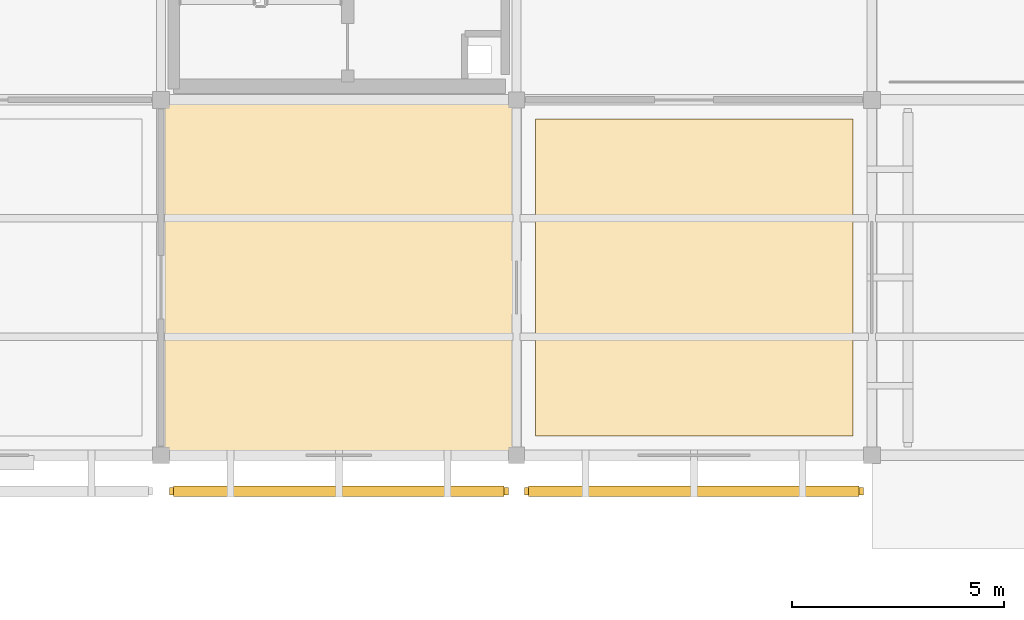
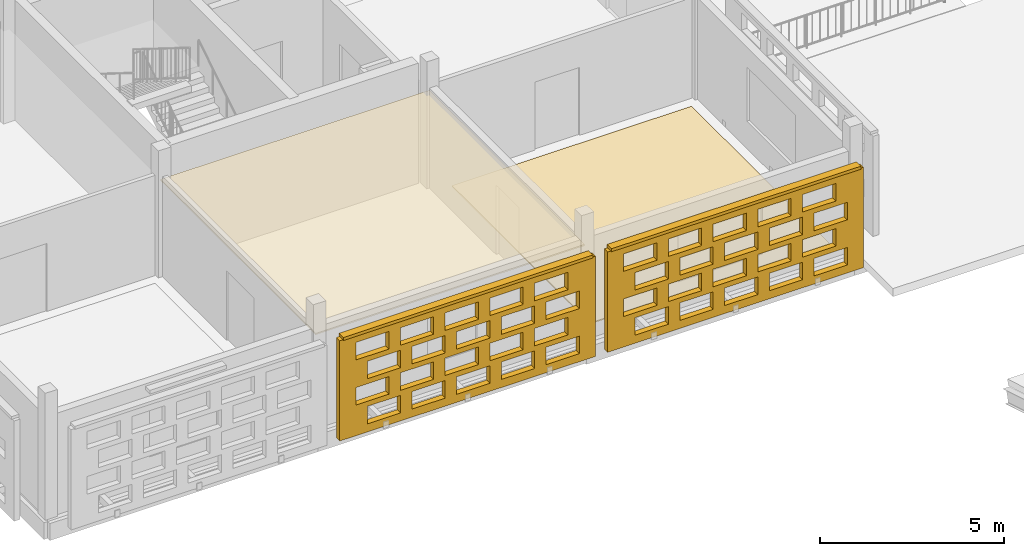
# One storey, part 23 of 31: 4 coverings, 2 shading devices, 40 openings.
"""IFC4 building model written with IfcOpenShell, lengths in metres."""

from ifc_helpers import new_model, si_unit, direction, frame, frame_2d, origin, origin_2d, place, context, subcontext, project, spatial, rectangle, extrude, material, layer, layer_set, type_object, element, save


model = new_model("IFC4")

# Units and contexts
model_context = context("Model", 3, precision=1e-05, world=origin(), true_north=direction((0.0, 1.0)))
body_context = subcontext(model_context, "Body", "Model", "MODEL_VIEW")
ifc_project = project(units=[si_unit("LENGTHUNIT", "METRE"), si_unit("AREAUNIT", "SQUARE_METRE"), si_unit("VOLUMEUNIT", "CUBIC_METRE"), si_unit("PLANEANGLEUNIT", "RADIAN"), si_unit("MASSUNIT", "GRAM", prefix="KILO")], contexts=[model_context])

# Site, building, storey
site_placement = place(None, origin())
site = spatial("IfcSite", under=ifc_project, at=site_placement, CompositionType="ELEMENT")
building_placement = place(site_placement, origin())
building = spatial("IfcBuilding", under=site, at=building_placement, Name="Varnapada Polytechnic", CompositionType="ELEMENT")
storey_placement = place(building_placement, frame((0.0, 0.0, 22.199951171875)))
storey = spatial("IfcBuildingStorey", under=building, at=storey_placement, Name="L05", CompositionType="ELEMENT", Elevation=22.199951171875)

# Coverings
ifc_material_1 = material(Name="Acoustic Rubber Seminar Flooring")
ifc_layer_1 = layer(ifc_material_1, 0.0400390625)
ifc_layer_set_1 = layer_set([ifc_layer_1], Name="Acoustic Rubber Seminar Flooring")
covering_type_1 = type_object("IfcCoveringType", Name="Floor Finish FLR-06", PredefinedType="FLOORING", material=ifc_layer_set_1)
covering_1_placement = place(storey_placement, frame((21.0, 54.60009765625, 0.0), z_axis=(0.0, 0.0, 1.0), x_axis=(1.0, 0.0, 0.0)))
element("IfcCovering", 1, at=covering_1_placement, inside=storey, type_object=covering_type_1, Name="L05 floor finish panel (3,7)", PredefinedType="FLOORING", context=body_context, shape_type="SweptSolid", body=[
    extrude(rectangle(XDim=7.5, YDim=7.5, at=origin_2d()), origin(), (0.0, 0.0, 1.0), 0.0400390625),
])
ifc_material_2 = material(Name="Micro-Perforated Gypsum Acoustic Ceiling")
ifc_layer_2 = layer(ifc_material_2, 0.044921875)
ifc_layer_set_2 = layer_set([ifc_layer_2], Name="Micro-Perforated Gypsum Acoustic Ceiling")
covering_type_2 = type_object("IfcCoveringType", Name="Suspended Ceiling CLG-04", PredefinedType="CEILING", material=ifc_layer_set_2)
covering_2_placement = place(storey_placement, frame((12.60009765625, 54.60009765625, 3.027587890625), z_axis=(0.0, 0.0, 1.0), x_axis=(1.0, 0.0, 0.0)))
element("IfcCovering", 2, at=covering_2_placement, inside=storey, type_object=covering_type_2, Name="L05 suspended acoustic ceiling (2,7)", PredefinedType="CEILING", context=body_context, shape_type="SweptSolid", body=[
    extrude(rectangle(XDim=8.419921875, YDim=8.419921875, at=origin_2d()), origin(), (0.0, 0.0, 1.0), 0.044921875),
])

# Covering, openings
ifc_material_3 = material(Name="Earth-toned architectural terracotta screen block", Category="masonry")
ifc_layer_3 = layer(ifc_material_3, 0.1201171875)
ifc_layer_set_3 = layer_set([ifc_layer_3], Name="Earth-toned architectural terracotta screen block")
covering_type_3 = type_object("IfcCoveringType", Name="Terracotta Screen Cladding CLD-01", PredefinedType="CLADDING", material=ifc_layer_set_3)
covering_3_placement = place(storey_placement, frame((16.610107421875, 49.550048828125, 0.0), z_axis=(0.0, 0.0, 1.0), x_axis=(-1.0, 0.0, 0.0)))
covering_3 = element("IfcCovering", 3, at=covering_3_placement, inside=storey, type_object=covering_type_3, Name="L05 perforated terracotta block screen (12)", PredefinedType="CLADDING", context=body_context, shape_type="SweptSolid", body=[
    extrude(rectangle(XDim=8.010009765625, YDim=0.179931640625, at=frame_2d((4.0048828125, 0.0))), origin(), (0.0, 0.0, 1.0), 3.320068359375),
])
opening_1_placement = place(covering_3_placement, frame((0.5048828125, 0.0, 0.265625)))
element("IfcOpeningElement", 4, at=opening_1_placement, cuts=covering_3, Name="Screen perforation TBS-L05-011.1", PredefinedType="OPENING", context=body_context, shape_type="SweptSolid", body=[
    extrude(rectangle(XDim=1.0400390625, YDim=0.5810546875, at=frame_2d((0.52001953125, 0.29052734375))), frame((0.0, 0.099853515625, 0.0), z_axis=(0.0, -1.0, 0.0), x_axis=(1.0, 0.0, 0.0)), (0.0, 0.0, 1.0), 0.199951171875),
])
opening_2_placement = place(covering_3_placement, frame((1.905029296875, 0.0, 0.265625)))
element("IfcOpeningElement", 5, at=opening_2_placement, cuts=covering_3, Name="Screen perforation TBS-L05-011.2", PredefinedType="OPENING", context=body_context, shape_type="SweptSolid", body=[
    extrude(rectangle(XDim=1.0400390625, YDim=0.5810546875, at=frame_2d((0.52001953125, 0.29052734375))), frame((0.0, 0.099853515625, 0.0), z_axis=(0.0, -1.0, 0.0), x_axis=(1.0, 0.0, 0.0)), (0.0, 0.0, 1.0), 0.199951171875),
])
opening_3_placement = place(covering_3_placement, frame((3.304931640625, 0.0, 0.265625)))
element("IfcOpeningElement", 6, at=opening_3_placement, cuts=covering_3, Name="Screen perforation TBS-L05-011.3", PredefinedType="OPENING", context=body_context, shape_type="SweptSolid", body=[
    extrude(rectangle(XDim=1.0400390625, YDim=0.5810546875, at=frame_2d((0.52001953125, 0.29052734375))), frame((0.0, 0.099853515625, 0.0), z_axis=(0.0, -1.0, 0.0), x_axis=(1.0, 0.0, 0.0)), (0.0, 0.0, 1.0), 0.199951171875),
])
opening_4_placement = place(covering_3_placement, frame((4.705078125, 0.0, 0.265625)))
element("IfcOpeningElement", 7, at=opening_4_placement, cuts=covering_3, Name="Screen perforation TBS-L05-011.4", PredefinedType="OPENING", context=body_context, shape_type="SweptSolid", body=[
    extrude(rectangle(XDim=1.0400390625, YDim=0.5810546875, at=frame_2d((0.52001953125, 0.29052734375))), frame((0.0, 0.099853515625, 0.0), z_axis=(0.0, -1.0, 0.0), x_axis=(1.0, 0.0, 0.0)), (0.0, 0.0, 1.0), 0.199951171875),
])
opening_5_placement = place(covering_3_placement, frame((6.10498046875, 0.0, 0.265625)))
element("IfcOpeningElement", 8, at=opening_5_placement, cuts=covering_3, Name="Screen perforation TBS-L05-011.5", PredefinedType="OPENING", context=body_context, shape_type="SweptSolid", body=[
    extrude(rectangle(XDim=1.0400390625, YDim=0.5810546875, at=frame_2d((0.52001953125, 0.29052734375))), frame((0.0, 0.099853515625, 0.0), z_axis=(0.0, -1.0, 0.0), x_axis=(1.0, 0.0, 0.0)), (0.0, 0.0, 1.0), 0.199951171875),
])
opening_6_placement = place(covering_3_placement, frame((0.864990234375, 0.0, 1.0126953125)))
element("IfcOpeningElement", 9, at=opening_6_placement, cuts=covering_3, Name="Screen perforation TBS-L05-011.6", PredefinedType="OPENING", context=body_context, shape_type="SweptSolid", body=[
    extrude(rectangle(XDim=1.0400390625, YDim=0.5810546875, at=frame_2d((0.52001953125, 0.29052734375))), frame((0.0, 0.099853515625, 0.0), z_axis=(0.0, -1.0, 0.0), x_axis=(1.0, 0.0, 0.0)), (0.0, 0.0, 1.0), 0.199951171875),
])
opening_7_placement = place(covering_3_placement, frame((2.264892578125, 0.0, 1.0126953125)))
element("IfcOpeningElement", 10, at=opening_7_placement, cuts=covering_3, Name="Screen perforation TBS-L05-011.7", PredefinedType="OPENING", context=body_context, shape_type="SweptSolid", body=[
    extrude(rectangle(XDim=1.0400390625, YDim=0.5810546875, at=frame_2d((0.52001953125, 0.29052734375))), frame((0.0, 0.099853515625, 0.0), z_axis=(0.0, -1.0, 0.0), x_axis=(1.0, 0.0, 0.0)), (0.0, 0.0, 1.0), 0.199951171875),
])
opening_8_placement = place(covering_3_placement, frame((3.6650390625, 0.0, 1.0126953125)))
element("IfcOpeningElement", 11, at=opening_8_placement, cuts=covering_3, Name="Screen perforation TBS-L05-011.8", PredefinedType="OPENING", context=body_context, shape_type="SweptSolid", body=[
    extrude(rectangle(XDim=1.0400390625, YDim=0.5810546875, at=frame_2d((0.52001953125, 0.29052734375))), frame((0.0, 0.099853515625, 0.0), z_axis=(0.0, -1.0, 0.0), x_axis=(1.0, 0.0, 0.0)), (0.0, 0.0, 1.0), 0.199951171875),
])
opening_9_placement = place(covering_3_placement, frame((5.06494140625, 0.0, 1.0126953125)))
element("IfcOpeningElement", 12, at=opening_9_placement, cuts=covering_3, Name="Screen perforation TBS-L05-011.9", PredefinedType="OPENING", context=body_context, shape_type="SweptSolid", body=[
    extrude(rectangle(XDim=1.0400390625, YDim=0.5810546875, at=frame_2d((0.52001953125, 0.29052734375))), frame((0.0, 0.099853515625, 0.0), z_axis=(0.0, -1.0, 0.0), x_axis=(1.0, 0.0, 0.0)), (0.0, 0.0, 1.0), 0.199951171875),
])
opening_10_placement = place(covering_3_placement, frame((6.465087890625, 0.0, 1.0126953125)))
element("IfcOpeningElement", 13, at=opening_10_placement, cuts=covering_3, Name="Screen perforation TBS-L05-011.10", PredefinedType="OPENING", context=body_context, shape_type="SweptSolid", body=[
    extrude(rectangle(XDim=1.0400390625, YDim=0.5810546875, at=frame_2d((0.52001953125, 0.29052734375))), frame((0.0, 0.099853515625, 0.0), z_axis=(0.0, -1.0, 0.0), x_axis=(1.0, 0.0, 0.0)), (0.0, 0.0, 1.0), 0.199951171875),
])
opening_11_placement = place(covering_3_placement, frame((0.5048828125, 0.0, 1.759521484375)))
element("IfcOpeningElement", 14, at=opening_11_placement, cuts=covering_3, Name="Screen perforation TBS-L05-011.11", PredefinedType="OPENING", context=body_context, shape_type="SweptSolid", body=[
    extrude(rectangle(XDim=1.0400390625, YDim=0.5810546875, at=frame_2d((0.52001953125, 0.29052734375))), frame((0.0, 0.099853515625, 0.0), z_axis=(0.0, -1.0, 0.0), x_axis=(1.0, 0.0, 0.0)), (0.0, 0.0, 1.0), 0.199951171875),
])
opening_12_placement = place(covering_3_placement, frame((1.905029296875, 0.0, 1.759521484375)))
element("IfcOpeningElement", 15, at=opening_12_placement, cuts=covering_3, Name="Screen perforation TBS-L05-011.12", PredefinedType="OPENING", context=body_context, shape_type="SweptSolid", body=[
    extrude(rectangle(XDim=1.0400390625, YDim=0.5810546875, at=frame_2d((0.52001953125, 0.29052734375))), frame((0.0, 0.099853515625, 0.0), z_axis=(0.0, -1.0, 0.0), x_axis=(1.0, 0.0, 0.0)), (0.0, 0.0, 1.0), 0.199951171875),
])
opening_13_placement = place(covering_3_placement, frame((3.304931640625, 0.0, 1.759521484375)))
element("IfcOpeningElement", 16, at=opening_13_placement, cuts=covering_3, Name="Screen perforation TBS-L05-011.13", PredefinedType="OPENING", context=body_context, shape_type="SweptSolid", body=[
    extrude(rectangle(XDim=1.0400390625, YDim=0.5810546875, at=frame_2d((0.52001953125, 0.29052734375))), frame((0.0, 0.099853515625, 0.0), z_axis=(0.0, -1.0, 0.0), x_axis=(1.0, 0.0, 0.0)), (0.0, 0.0, 1.0), 0.199951171875),
])
opening_14_placement = place(covering_3_placement, frame((4.705078125, 0.0, 1.759521484375)))
element("IfcOpeningElement", 17, at=opening_14_placement, cuts=covering_3, Name="Screen perforation TBS-L05-011.14", PredefinedType="OPENING", context=body_context, shape_type="SweptSolid", body=[
    extrude(rectangle(XDim=1.0400390625, YDim=0.5810546875, at=frame_2d((0.52001953125, 0.29052734375))), frame((0.0, 0.099853515625, 0.0), z_axis=(0.0, -1.0, 0.0), x_axis=(1.0, 0.0, 0.0)), (0.0, 0.0, 1.0), 0.199951171875),
])
opening_15_placement = place(covering_3_placement, frame((6.10498046875, 0.0, 1.759521484375)))
element("IfcOpeningElement", 18, at=opening_15_placement, cuts=covering_3, Name="Screen perforation TBS-L05-011.15", PredefinedType="OPENING", context=body_context, shape_type="SweptSolid", body=[
    extrude(rectangle(XDim=1.0400390625, YDim=0.5810546875, at=frame_2d((0.52001953125, 0.29052734375))), frame((0.0, 0.099853515625, 0.0), z_axis=(0.0, -1.0, 0.0), x_axis=(1.0, 0.0, 0.0)), (0.0, 0.0, 1.0), 0.199951171875),
])
opening_16_placement = place(covering_3_placement, frame((0.864990234375, 0.0, 2.506591796875)))
element("IfcOpeningElement", 19, at=opening_16_placement, cuts=covering_3, Name="Screen perforation TBS-L05-011.16", PredefinedType="OPENING", context=body_context, shape_type="SweptSolid", body=[
    extrude(rectangle(XDim=1.0400390625, YDim=0.5810546875, at=frame_2d((0.52001953125, 0.29052734375))), frame((0.0, 0.099853515625, 0.0), z_axis=(0.0, -1.0, 0.0), x_axis=(1.0, 0.0, 0.0)), (0.0, 0.0, 1.0), 0.199951171875),
])
opening_17_placement = place(covering_3_placement, frame((2.264892578125, 0.0, 2.506591796875)))
element("IfcOpeningElement", 20, at=opening_17_placement, cuts=covering_3, Name="Screen perforation TBS-L05-011.17", PredefinedType="OPENING", context=body_context, shape_type="SweptSolid", body=[
    extrude(rectangle(XDim=1.0400390625, YDim=0.5810546875, at=frame_2d((0.52001953125, 0.29052734375))), frame((0.0, 0.099853515625, 0.0), z_axis=(0.0, -1.0, 0.0), x_axis=(1.0, 0.0, 0.0)), (0.0, 0.0, 1.0), 0.199951171875),
])
opening_18_placement = place(covering_3_placement, frame((3.6650390625, 0.0, 2.506591796875)))
element("IfcOpeningElement", 21, at=opening_18_placement, cuts=covering_3, Name="Screen perforation TBS-L05-011.18", PredefinedType="OPENING", context=body_context, shape_type="SweptSolid", body=[
    extrude(rectangle(XDim=1.0400390625, YDim=0.5810546875, at=frame_2d((0.52001953125, 0.29052734375))), frame((0.0, 0.099853515625, 0.0), z_axis=(0.0, -1.0, 0.0), x_axis=(1.0, 0.0, 0.0)), (0.0, 0.0, 1.0), 0.199951171875),
])
opening_19_placement = place(covering_3_placement, frame((5.06494140625, 0.0, 2.506591796875)))
element("IfcOpeningElement", 22, at=opening_19_placement, cuts=covering_3, Name="Screen perforation TBS-L05-011.19", PredefinedType="OPENING", context=body_context, shape_type="SweptSolid", body=[
    extrude(rectangle(XDim=1.0400390625, YDim=0.5810546875, at=frame_2d((0.52001953125, 0.29052734375))), frame((0.0, 0.099853515625, 0.0), z_axis=(0.0, -1.0, 0.0), x_axis=(1.0, 0.0, 0.0)), (0.0, 0.0, 1.0), 0.199951171875),
])
opening_20_placement = place(covering_3_placement, frame((6.465087890625, 0.0, 2.506591796875)))
element("IfcOpeningElement", 23, at=opening_20_placement, cuts=covering_3, Name="Screen perforation TBS-L05-011.20", PredefinedType="OPENING", context=body_context, shape_type="SweptSolid", body=[
    extrude(rectangle(XDim=1.0400390625, YDim=0.5810546875, at=frame_2d((0.52001953125, 0.29052734375))), frame((0.0, 0.099853515625, 0.0), z_axis=(0.0, -1.0, 0.0), x_axis=(1.0, 0.0, 0.0)), (0.0, 0.0, 1.0), 0.199951171875),
])

covering_4_placement = place(storey_placement, frame((25.0, 49.550048828125, 0.0), z_axis=(0.0, 0.0, 1.0), x_axis=(-1.0, 0.0, 0.0)))
covering_4 = element("IfcCovering", 24, at=covering_4_placement, inside=storey, type_object=covering_type_3, Name="L05 perforated terracotta block screen (14)", PredefinedType="CLADDING", context=body_context, shape_type="SweptSolid", body=[
    extrude(rectangle(XDim=8.010009765625, YDim=0.179931640625, at=frame_2d((4.0048828125, 0.0))), origin(), (0.0, 0.0, 1.0), 3.320068359375),
])
opening_21_placement = place(covering_4_placement, frame((0.5048828125, 0.0, 0.265625)))
element("IfcOpeningElement", 25, at=opening_21_placement, cuts=covering_4, Name="Screen perforation TBS-L05-013.1", PredefinedType="OPENING", context=body_context, shape_type="SweptSolid", body=[
    extrude(rectangle(XDim=1.0400390625, YDim=0.5810546875, at=frame_2d((0.52001953125, 0.29052734375))), frame((0.0, 0.099853515625, 0.0), z_axis=(0.0, -1.0, 0.0), x_axis=(1.0, 0.0, 0.0)), (0.0, 0.0, 1.0), 0.199951171875),
])
opening_22_placement = place(covering_4_placement, frame((1.905029296875, 0.0, 0.265625)))
element("IfcOpeningElement", 26, at=opening_22_placement, cuts=covering_4, Name="Screen perforation TBS-L05-013.2", PredefinedType="OPENING", context=body_context, shape_type="SweptSolid", body=[
    extrude(rectangle(XDim=1.0400390625, YDim=0.5810546875, at=frame_2d((0.52001953125, 0.29052734375))), frame((0.0, 0.099853515625, 0.0), z_axis=(0.0, -1.0, 0.0), x_axis=(1.0, 0.0, 0.0)), (0.0, 0.0, 1.0), 0.199951171875),
])
opening_23_placement = place(covering_4_placement, frame((3.304931640625, 0.0, 0.265625)))
element("IfcOpeningElement", 27, at=opening_23_placement, cuts=covering_4, Name="Screen perforation TBS-L05-013.3", PredefinedType="OPENING", context=body_context, shape_type="SweptSolid", body=[
    extrude(rectangle(XDim=1.0400390625, YDim=0.5810546875, at=frame_2d((0.52001953125, 0.29052734375))), frame((0.0, 0.099853515625, 0.0), z_axis=(0.0, -1.0, 0.0), x_axis=(1.0, 0.0, 0.0)), (0.0, 0.0, 1.0), 0.199951171875),
])
opening_24_placement = place(covering_4_placement, frame((4.705078125, 0.0, 0.265625)))
element("IfcOpeningElement", 28, at=opening_24_placement, cuts=covering_4, Name="Screen perforation TBS-L05-013.4", PredefinedType="OPENING", context=body_context, shape_type="SweptSolid", body=[
    extrude(rectangle(XDim=1.0400390625, YDim=0.5810546875, at=frame_2d((0.52001953125, 0.29052734375))), frame((0.0, 0.099853515625, 0.0), z_axis=(0.0, -1.0, 0.0), x_axis=(1.0, 0.0, 0.0)), (0.0, 0.0, 1.0), 0.199951171875),
])
opening_25_placement = place(covering_4_placement, frame((6.10498046875, 0.0, 0.265625)))
element("IfcOpeningElement", 29, at=opening_25_placement, cuts=covering_4, Name="Screen perforation TBS-L05-013.5", PredefinedType="OPENING", context=body_context, shape_type="SweptSolid", body=[
    extrude(rectangle(XDim=1.0400390625, YDim=0.5810546875, at=frame_2d((0.52001953125, 0.29052734375))), frame((0.0, 0.099853515625, 0.0), z_axis=(0.0, -1.0, 0.0), x_axis=(1.0, 0.0, 0.0)), (0.0, 0.0, 1.0), 0.199951171875),
])
opening_26_placement = place(covering_4_placement, frame((0.864990234375, 0.0, 1.0126953125)))
element("IfcOpeningElement", 30, at=opening_26_placement, cuts=covering_4, Name="Screen perforation TBS-L05-013.6", PredefinedType="OPENING", context=body_context, shape_type="SweptSolid", body=[
    extrude(rectangle(XDim=1.0400390625, YDim=0.5810546875, at=frame_2d((0.52001953125, 0.29052734375))), frame((0.0, 0.099853515625, 0.0), z_axis=(0.0, -1.0, 0.0), x_axis=(1.0, 0.0, 0.0)), (0.0, 0.0, 1.0), 0.199951171875),
])
opening_27_placement = place(covering_4_placement, frame((2.264892578125, 0.0, 1.0126953125)))
element("IfcOpeningElement", 31, at=opening_27_placement, cuts=covering_4, Name="Screen perforation TBS-L05-013.7", PredefinedType="OPENING", context=body_context, shape_type="SweptSolid", body=[
    extrude(rectangle(XDim=1.0400390625, YDim=0.5810546875, at=frame_2d((0.52001953125, 0.29052734375))), frame((0.0, 0.099853515625, 0.0), z_axis=(0.0, -1.0, 0.0), x_axis=(1.0, 0.0, 0.0)), (0.0, 0.0, 1.0), 0.199951171875),
])
opening_28_placement = place(covering_4_placement, frame((3.6650390625, 0.0, 1.0126953125)))
element("IfcOpeningElement", 32, at=opening_28_placement, cuts=covering_4, Name="Screen perforation TBS-L05-013.8", PredefinedType="OPENING", context=body_context, shape_type="SweptSolid", body=[
    extrude(rectangle(XDim=1.0400390625, YDim=0.5810546875, at=frame_2d((0.52001953125, 0.29052734375))), frame((0.0, 0.099853515625, 0.0), z_axis=(0.0, -1.0, 0.0), x_axis=(1.0, 0.0, 0.0)), (0.0, 0.0, 1.0), 0.199951171875),
])
opening_29_placement = place(covering_4_placement, frame((5.06494140625, 0.0, 1.0126953125)))
element("IfcOpeningElement", 33, at=opening_29_placement, cuts=covering_4, Name="Screen perforation TBS-L05-013.9", PredefinedType="OPENING", context=body_context, shape_type="SweptSolid", body=[
    extrude(rectangle(XDim=1.0400390625, YDim=0.5810546875, at=frame_2d((0.52001953125, 0.29052734375))), frame((0.0, 0.099853515625, 0.0), z_axis=(0.0, -1.0, 0.0), x_axis=(1.0, 0.0, 0.0)), (0.0, 0.0, 1.0), 0.199951171875),
])
opening_30_placement = place(covering_4_placement, frame((6.465087890625, 0.0, 1.0126953125)))
element("IfcOpeningElement", 34, at=opening_30_placement, cuts=covering_4, Name="Screen perforation TBS-L05-013.10", PredefinedType="OPENING", context=body_context, shape_type="SweptSolid", body=[
    extrude(rectangle(XDim=1.0400390625, YDim=0.5810546875, at=frame_2d((0.52001953125, 0.29052734375))), frame((0.0, 0.099853515625, 0.0), z_axis=(0.0, -1.0, 0.0), x_axis=(1.0, 0.0, 0.0)), (0.0, 0.0, 1.0), 0.199951171875),
])
opening_31_placement = place(covering_4_placement, frame((0.5048828125, 0.0, 1.759521484375)))
element("IfcOpeningElement", 35, at=opening_31_placement, cuts=covering_4, Name="Screen perforation TBS-L05-013.11", PredefinedType="OPENING", context=body_context, shape_type="SweptSolid", body=[
    extrude(rectangle(XDim=1.0400390625, YDim=0.5810546875, at=frame_2d((0.52001953125, 0.29052734375))), frame((0.0, 0.099853515625, 0.0), z_axis=(0.0, -1.0, 0.0), x_axis=(1.0, 0.0, 0.0)), (0.0, 0.0, 1.0), 0.199951171875),
])
opening_32_placement = place(covering_4_placement, frame((1.905029296875, 0.0, 1.759521484375)))
element("IfcOpeningElement", 36, at=opening_32_placement, cuts=covering_4, Name="Screen perforation TBS-L05-013.12", PredefinedType="OPENING", context=body_context, shape_type="SweptSolid", body=[
    extrude(rectangle(XDim=1.0400390625, YDim=0.5810546875, at=frame_2d((0.52001953125, 0.29052734375))), frame((0.0, 0.099853515625, 0.0), z_axis=(0.0, -1.0, 0.0), x_axis=(1.0, 0.0, 0.0)), (0.0, 0.0, 1.0), 0.199951171875),
])
opening_33_placement = place(covering_4_placement, frame((3.304931640625, 0.0, 1.759521484375)))
element("IfcOpeningElement", 37, at=opening_33_placement, cuts=covering_4, Name="Screen perforation TBS-L05-013.13", PredefinedType="OPENING", context=body_context, shape_type="SweptSolid", body=[
    extrude(rectangle(XDim=1.0400390625, YDim=0.5810546875, at=frame_2d((0.52001953125, 0.29052734375))), frame((0.0, 0.099853515625, 0.0), z_axis=(0.0, -1.0, 0.0), x_axis=(1.0, 0.0, 0.0)), (0.0, 0.0, 1.0), 0.199951171875),
])
opening_34_placement = place(covering_4_placement, frame((4.705078125, 0.0, 1.759521484375)))
element("IfcOpeningElement", 38, at=opening_34_placement, cuts=covering_4, Name="Screen perforation TBS-L05-013.14", PredefinedType="OPENING", context=body_context, shape_type="SweptSolid", body=[
    extrude(rectangle(XDim=1.0400390625, YDim=0.5810546875, at=frame_2d((0.52001953125, 0.29052734375))), frame((0.0, 0.099853515625, 0.0), z_axis=(0.0, -1.0, 0.0), x_axis=(1.0, 0.0, 0.0)), (0.0, 0.0, 1.0), 0.199951171875),
])
opening_35_placement = place(covering_4_placement, frame((6.10498046875, 0.0, 1.759521484375)))
element("IfcOpeningElement", 39, at=opening_35_placement, cuts=covering_4, Name="Screen perforation TBS-L05-013.15", PredefinedType="OPENING", context=body_context, shape_type="SweptSolid", body=[
    extrude(rectangle(XDim=1.0400390625, YDim=0.5810546875, at=frame_2d((0.52001953125, 0.29052734375))), frame((0.0, 0.099853515625, 0.0), z_axis=(0.0, -1.0, 0.0), x_axis=(1.0, 0.0, 0.0)), (0.0, 0.0, 1.0), 0.199951171875),
])
opening_36_placement = place(covering_4_placement, frame((0.864990234375, 0.0, 2.506591796875)))
element("IfcOpeningElement", 40, at=opening_36_placement, cuts=covering_4, Name="Screen perforation TBS-L05-013.16", PredefinedType="OPENING", context=body_context, shape_type="SweptSolid", body=[
    extrude(rectangle(XDim=1.0400390625, YDim=0.5810546875, at=frame_2d((0.52001953125, 0.29052734375))), frame((0.0, 0.099853515625, 0.0), z_axis=(0.0, -1.0, 0.0), x_axis=(1.0, 0.0, 0.0)), (0.0, 0.0, 1.0), 0.199951171875),
])
opening_37_placement = place(covering_4_placement, frame((2.264892578125, 0.0, 2.506591796875)))
element("IfcOpeningElement", 41, at=opening_37_placement, cuts=covering_4, Name="Screen perforation TBS-L05-013.17", PredefinedType="OPENING", context=body_context, shape_type="SweptSolid", body=[
    extrude(rectangle(XDim=1.0400390625, YDim=0.5810546875, at=frame_2d((0.52001953125, 0.29052734375))), frame((0.0, 0.099853515625, 0.0), z_axis=(0.0, -1.0, 0.0), x_axis=(1.0, 0.0, 0.0)), (0.0, 0.0, 1.0), 0.199951171875),
])
opening_38_placement = place(covering_4_placement, frame((3.6650390625, 0.0, 2.506591796875)))
element("IfcOpeningElement", 42, at=opening_38_placement, cuts=covering_4, Name="Screen perforation TBS-L05-013.18", PredefinedType="OPENING", context=body_context, shape_type="SweptSolid", body=[
    extrude(rectangle(XDim=1.0400390625, YDim=0.5810546875, at=frame_2d((0.52001953125, 0.29052734375))), frame((0.0, 0.099853515625, 0.0), z_axis=(0.0, -1.0, 0.0), x_axis=(1.0, 0.0, 0.0)), (0.0, 0.0, 1.0), 0.199951171875),
])
opening_39_placement = place(covering_4_placement, frame((5.06494140625, 0.0, 2.506591796875)))
element("IfcOpeningElement", 43, at=opening_39_placement, cuts=covering_4, Name="Screen perforation TBS-L05-013.19", PredefinedType="OPENING", context=body_context, shape_type="SweptSolid", body=[
    extrude(rectangle(XDim=1.0400390625, YDim=0.5810546875, at=frame_2d((0.52001953125, 0.29052734375))), frame((0.0, 0.099853515625, 0.0), z_axis=(0.0, -1.0, 0.0), x_axis=(1.0, 0.0, 0.0)), (0.0, 0.0, 1.0), 0.199951171875),
])
opening_40_placement = place(covering_4_placement, frame((6.465087890625, 0.0, 2.506591796875)))
element("IfcOpeningElement", 44, at=opening_40_placement, cuts=covering_4, Name="Screen perforation TBS-L05-013.20", PredefinedType="OPENING", context=body_context, shape_type="SweptSolid", body=[
    extrude(rectangle(XDim=1.0400390625, YDim=0.5810546875, at=frame_2d((0.52001953125, 0.29052734375))), frame((0.0, 0.099853515625, 0.0), z_axis=(0.0, -1.0, 0.0), x_axis=(1.0, 0.0, 0.0)), (0.0, 0.0, 1.0), 0.199951171875),
])

# Shading devices
ifc_layer_4 = layer(ifc_material_3, 0.179931640625)
ifc_layer_set_4 = layer_set([ifc_layer_4], Name="Earth-toned architectural terracotta screen block")
shading_device_type = type_object("IfcShadingDeviceType", Name="Terracotta Screen SCR-01", PredefinedType="USERDEFINED", material=ifc_layer_set_4)
for number, where, z_axis, x_axis, name in (
    (45, (12.60498046875, 49.550048828125, 3.31005859375), (0.0, 0.0, 1.0), (-1.0, 0.0, 0.0), "L05 perforated terracotta screen hood 487"),
    (46, (20.9951171875, 49.550048828125, 3.31005859375), (0.0, 0.0, 1.0), (-1.0, 0.0, 0.0), "L05 perforated terracotta screen hood 489"),
):
    element("IfcShadingDevice", number, at=place(storey_placement, frame(where, z_axis=z_axis, x_axis=x_axis)), inside=storey, type_object=shading_device_type, Name=name, ObjectType="SCREEN", PredefinedType="USERDEFINED", context=body_context, shape_type="SweptSolid", body=[
        extrude(rectangle(XDim=7.81005859375, YDim=0.239990234375, at=origin_2d()), origin(), (0.0, 0.0, 1.0), 0.10009765625),
    ])

save(model, "model.ifc")
